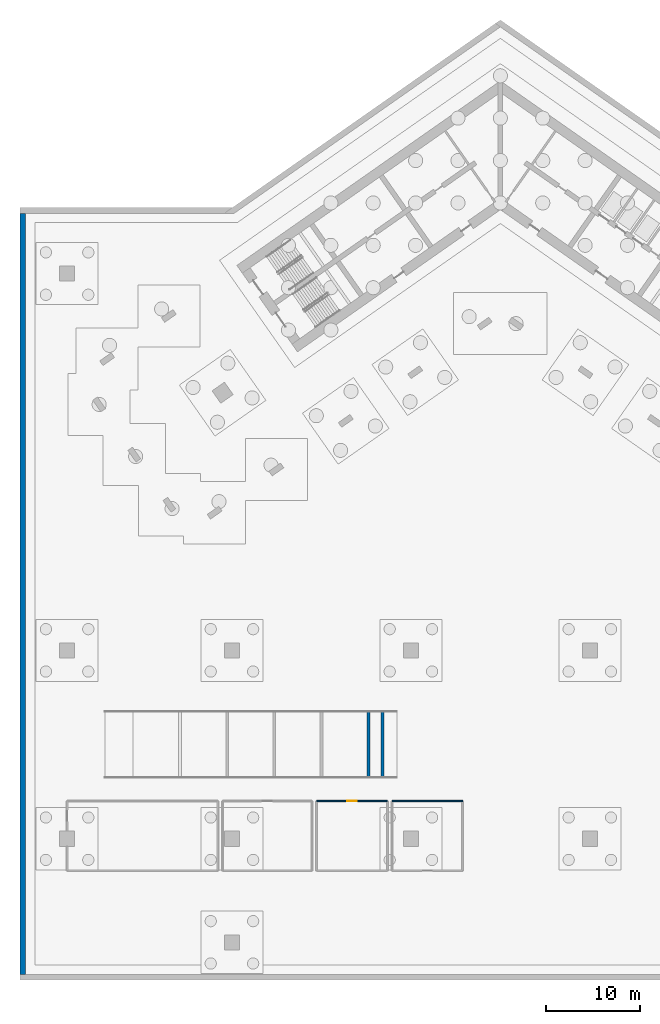
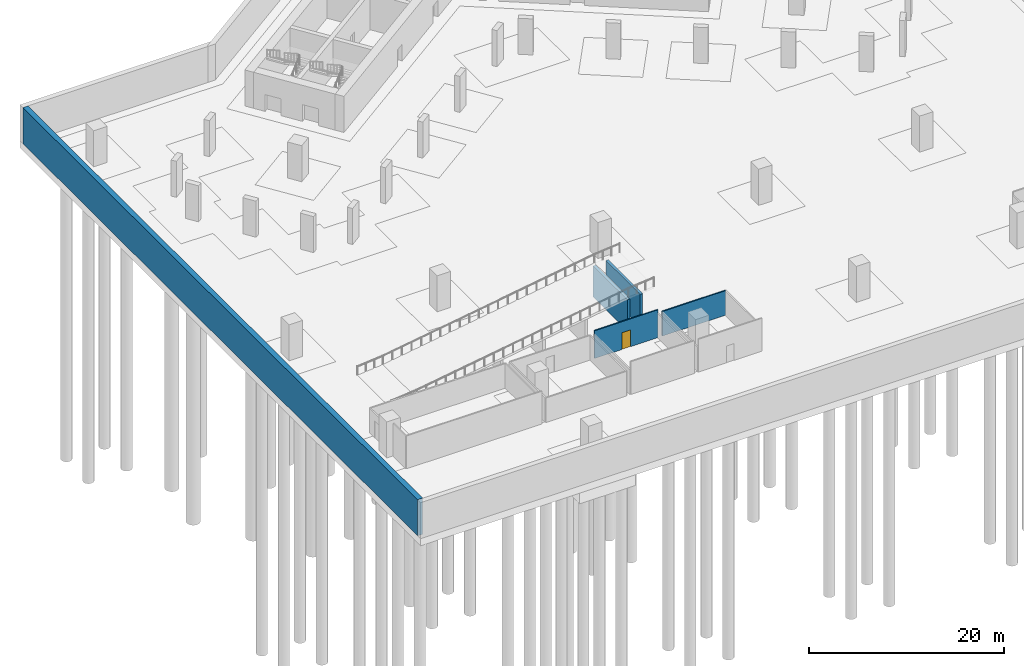
# One storey, part 5 of 13: 5 walls, 1 door, 1 opening.
"""IFC4 building model written with IfcOpenShell, lengths in metres."""

from ifc_helpers import new_model, si_unit, direction, frame, frame_2d, origin, place, context, subcontext, project, spatial, polyline, rectangle, outline, extrude, material, layer, layer_set, type_object, element, fill, save


model = new_model("IFC4")

# Units and contexts
model_context = context("Model", 3, precision=1e-05, world=origin(), true_north=direction((0.0, 1.0)))
body_context = subcontext(model_context, "Body", "Model", "MODEL_VIEW")
ifc_project = project(units=[si_unit("LENGTHUNIT", "METRE"), si_unit("AREAUNIT", "SQUARE_METRE"), si_unit("VOLUMEUNIT", "CUBIC_METRE"), si_unit("PLANEANGLEUNIT", "RADIAN"), si_unit("MASSUNIT", "GRAM", prefix="KILO")], contexts=[model_context])

# Site, building, storey
site_placement = place(None, origin())
site = spatial("IfcSite", under=ifc_project, at=site_placement, CompositionType="ELEMENT")
building_placement = place(site_placement, origin())
building = spatial("IfcBuilding", under=site, at=building_placement, Name="Tel Ilan Convention Tower", CompositionType="ELEMENT")
storey_placement = place(building_placement, frame((0.0, 0.0, -9.0)))
storey = spatial("IfcBuildingStorey", under=building, at=storey_placement, Name="B2", CompositionType="ELEMENT", Elevation=-9.0)

# Wall
ifc_material_1 = material(Name="Concrete C40/50", Category="concrete")
ifc_layer_1 = layer(ifc_material_1, 0.60009765625)
ifc_layer_set_1 = layer_set([ifc_layer_1], Name="Basement Retaining Wall 600 mm C40/50")
wall_type_1 = type_object("IfcWallType", Name="Basement Retaining Wall 600 mm C40/50", PredefinedType="SOLIDWALL", material=ifc_layer_set_1)
wall_1_placement = place(storey_placement, frame((-50.699951171875, -1.0, 0.0), z_axis=(0.0, 0.0, 1.0), x_axis=(0.0, -1.0, 0.0)))
element("IfcWall", 1, at=wall_1_placement, inside=storey, type_object=wall_type_1, Name="B2 retaining wall 7", PredefinedType="SOLIDWALL", context=body_context, shape_type="SweptSolid", body=[
    extrude(outline(polyline([(81.39990234375, 0.300048828125), (81.39990234375, -0.300048828125), (0.60009765625, -0.300048828125), (0.60009765625, 0.300048828125), (81.39990234375, 0.300048828125)])), origin(), (0.0, 0.0, 1.0), 4.5),
])

# Wall, opening, door
ifc_material_2 = material(Name="Plasterboard on Steel Studs", Category="steel")
ifc_layer_2 = layer(ifc_material_2, 0.14990234375)
ifc_layer_set_2 = layer_set([ifc_layer_2], Name="Fire-rated Partition 150 EI 60")
wall_type_2 = type_object("IfcWallType", Name="Fire-rated Partition 150 EI 60", PredefinedType="PARTITIONING", material=ifc_layer_set_2)
wall_2_placement = place(storey_placement, frame((-12.0, -63.9990234375, 0.0), z_axis=(0.0, 0.0, 1.0), x_axis=(-1.0, 0.0, 0.0)))
wall_2 = element("IfcWall", 2, at=wall_2_placement, inside=storey, type_object=wall_type_2, Name="Partition 010", PredefinedType="PARTITIONING", context=body_context, shape_type="SweptSolid", body=[
    extrude(rectangle(XDim=7.5, YDim=0.14990234375, at=frame_2d((3.75, 0.0))), origin(), (0.0, 0.0, 1.0), 3.469970703125),
])
opening_placement = place(wall_2_placement, frame((3.25, 0.0, 0.0)))
opening = element("IfcOpeningElement", 3, at=opening_placement, cuts=wall_2, Name="Opening B2-003", PredefinedType="OPENING", context=body_context, shape_type="SweptSolid", body=[
    extrude(rectangle(XDim=1.0, YDim=2.10009765625, at=frame_2d((0.5, 1.050048828125))), frame((0.0, 0.0849609375, 0.0), z_axis=(0.0, -1.0, 0.0), x_axis=(1.0, 0.0, 0.0)), (0.0, 0.0, 1.0), 0.169921875),
])
ifc_material_3 = material(Name="Timber Door Leaf in Steel Frame", Category="steel")
door_type = type_object("IfcDoorType", Name="Plant Room Fire Door 1000x2100", OperationType="NOTDEFINED", PredefinedType="DOOR", material=ifc_material_3)
door_placement = place(opening_placement, origin())
door = element("IfcDoor", 4, at=door_placement, inside=storey, type_object=door_type, Name="Door B2-003", OperationType="SINGLE_SWING_RIGHT", OverallHeight=2.10009765625, OverallWidth=1.0, PredefinedType="DOOR", context=body_context, shape_type="SweptSolid", body=[
    extrude(rectangle(XDim=1.0, YDim=2.10009765625, at=frame_2d((0.5, 1.050048828125))), frame((0.0, 0.02490234375, 0.0), z_axis=(0.0, -1.0, 0.0), x_axis=(1.0, 0.0, 0.0)), (0.0, 0.0, 1.0), 0.050048828125),
])
fill(opening, door)

# Walls
wall_3_placement = place(storey_placement, frame((-4.0, -63.9990234375, 0.0), z_axis=(0.0, 0.0, 1.0), x_axis=(-1.0, 0.0, 0.0)))
element("IfcWall", 5, at=wall_3_placement, inside=storey, type_object=wall_type_2, Name="Partition 026", PredefinedType="PARTITIONING", context=body_context, shape_type="SweptSolid", body=[
    extrude(rectangle(XDim=7.5, YDim=0.14990234375, at=frame_2d((3.75, 0.0))), origin(), (0.0, 0.0, 1.0), 3.070068359375),
])
ifc_material_4 = material(Name="Concrete C40/50", Category="concrete")
ifc_layer_3 = layer(ifc_material_4, 0.300048828125)
ifc_layer_set_3 = layer_set([ifc_layer_3], Name="Ramp Cross Wall 300 mm Concrete C40/50")
wall_type_3 = type_object("IfcWallType", Name="Ramp Cross Wall 300 mm Concrete C40/50", PredefinedType="SOLIDWALL", material=ifc_layer_set_3)
wall_4_placement = place(storey_placement, frame((-14.0, -61.5, 0.0), z_axis=(0.0, 0.0, 1.0), x_axis=(0.0, 1.0, 0.0)))
element("IfcWall", 6, at=wall_4_placement, inside=storey, type_object=wall_type_3, Name="Car Park Ramp B2-B1 cross wall 5", PredefinedType="SOLIDWALL", context=body_context, shape_type="SweptSolid", body=[
    extrude(rectangle(XDim=7.0, YDim=0.300048828125, at=frame_2d((3.5, 0.0))), origin(), (0.0, 0.0, 1.0), 3.91650390625),
])
wall_5_placement = place(storey_placement, frame((-12.5, -61.5, 0.0), z_axis=(0.0, 0.0, 1.0), x_axis=(0.0, 1.0, 0.0)))
element("IfcWall", 7, at=wall_5_placement, inside=storey, type_object=wall_type_3, Name="Car Park Ramp B2-B1 cross wall 6", PredefinedType="SOLIDWALL", context=body_context, shape_type="SweptSolid", body=[
    extrude(rectangle(XDim=7.0, YDim=0.300048828125, at=frame_2d((3.5, 0.0))), origin(), (0.0, 0.0, 1.0), 4.06591796875),
])

save(model, "model.ifc")
